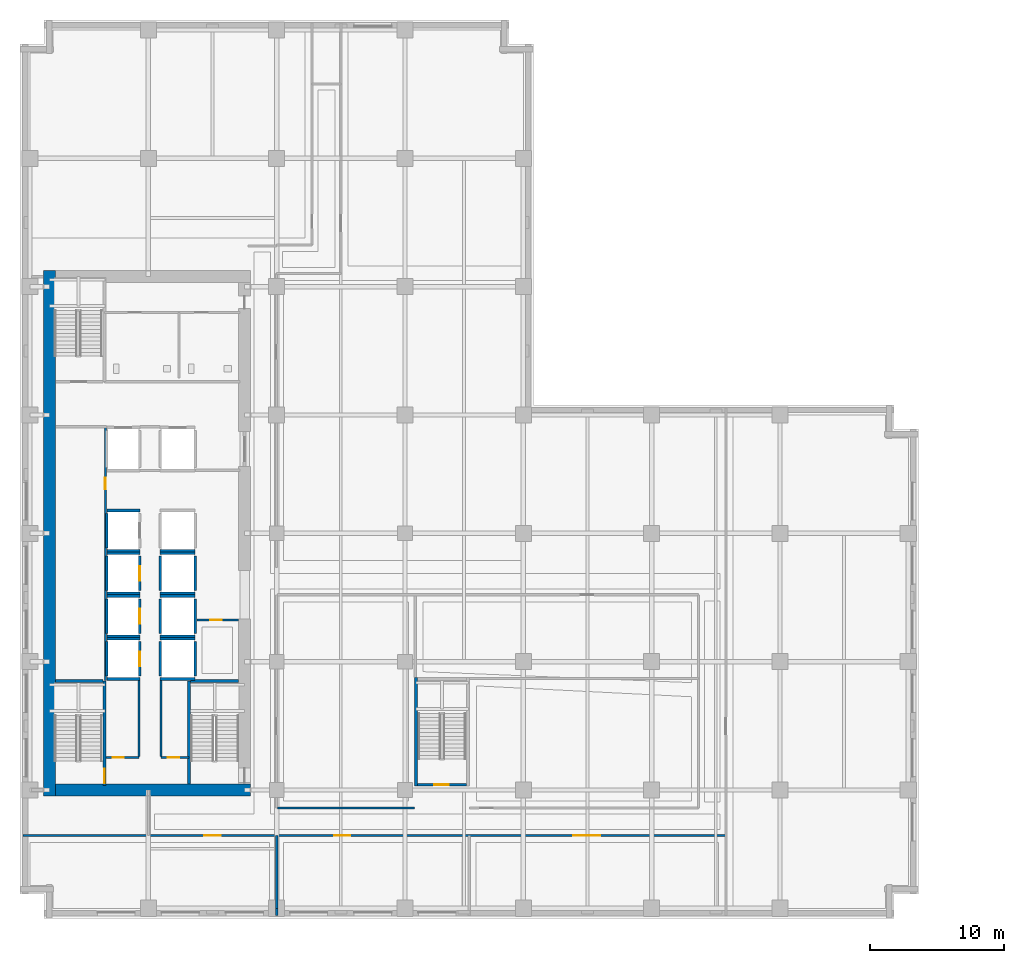
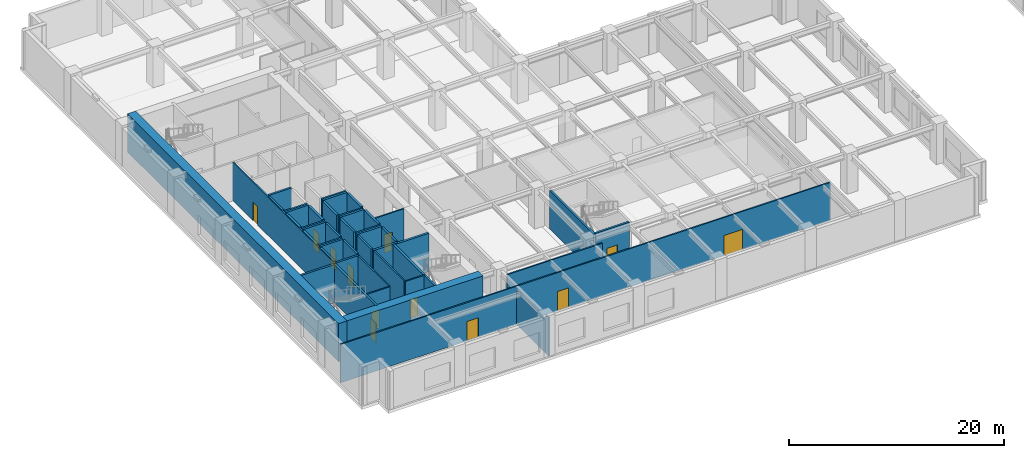
# One storey, part 5 of 21: 46 walls, 12 doors, 12 openings.
"""IFC4 building model written with IfcOpenShell, lengths in metres."""

from ifc_helpers import new_model, si_unit, direction, frame, frame_2d, origin, place, context, subcontext, project, spatial, rectangle, extrude, material, layer, layer_set, type_object, element, fill, save


model = new_model("IFC4")

# Units and contexts
model_context = context("Model", 3, precision=1e-05, world=origin(), true_north=direction((0.0, 1.0)))
body_context = subcontext(model_context, "Body", "Model", "MODEL_VIEW")
ifc_project = project(units=[si_unit("LENGTHUNIT", "METRE"), si_unit("AREAUNIT", "SQUARE_METRE"), si_unit("VOLUMEUNIT", "CUBIC_METRE"), si_unit("PLANEANGLEUNIT", "RADIAN"), si_unit("MASSUNIT", "GRAM", prefix="KILO")], contexts=[model_context])

# Site, building, storey
site_placement = place(None, origin())
site = spatial("IfcSite", under=ifc_project, at=site_placement, CompositionType="ELEMENT")
building_placement = place(site_placement, origin())
building = spatial("IfcBuilding", under=site, at=building_placement, Name="Norrvale University Quadrangle", CompositionType="ELEMENT")
storey_placement = place(building_placement, frame((0.0, 0.0, 19.60009765625)))
storey = spatial("IfcBuildingStorey", under=building, at=storey_placement, Name="L04", CompositionType="ELEMENT", Elevation=19.60009765625)

# Walls
ifc_material_1 = material(Name="Concrete C80/95", Category="concrete")
ifc_layer_1 = layer(ifc_material_1, 0.89990234375, Name="Concrete C80/95")
ifc_layer_set_1 = layer_set([ifc_layer_1], Name="Concrete C80/95")
wall_type_1 = type_object("IfcWallType", Name="Wall Core 900", PredefinedType="SHEAR", material=ifc_layer_set_1)
wall_1_placement = place(storey_placement, frame((2.64990234375, 9.60009765625, 0.0), z_axis=(0.0, 0.0, 1.0), x_axis=(1.0, 0.0, 0.0)))
element("IfcWall", 1, at=wall_1_placement, inside=storey, type_object=wall_type_1, Name="Tower Core Shear Wall L04-S", PredefinedType="SHEAR", context=body_context, shape_type="SweptSolid", body=[
    extrude(rectangle(XDim=14.60009765625, YDim=0.89990234375, at=frame_2d((7.300048828125, 0.0))), origin(), (0.0, 0.0, 1.0), 4.33984375),
])
wall_2_placement = place(storey_placement, frame((2.199951171875, 9.14990234375, 0.0), z_axis=(0.0, 0.0, 1.0), x_axis=(0.0, 1.0, 0.0)))
element("IfcWall", 2, at=wall_2_placement, inside=storey, type_object=wall_type_1, Name="Tower Core Shear Wall L04-W", PredefinedType="SHEAR", context=body_context, shape_type="SweptSolid", body=[
    extrude(rectangle(XDim=39.300048828125, YDim=0.89990234375, at=frame_2d((19.64990234375, 0.0))), origin(), (0.0, 0.0, 1.0), 4.33984375),
])

# Wall, opening, door
ifc_material_2 = material(Name="Fire-Rated Gypsum Stud Partition")
ifc_layer_2 = layer(ifc_material_2, 0.14990234375, Name="Fire-Rated Gypsum Stud Partition")
ifc_layer_set_2 = layer_set([ifc_layer_2], Name="Fire-Rated Gypsum Stud Partition")
wall_type_2 = type_object("IfcWallType", Name="Wall Gypsum Corridor 150", PredefinedType="PARTITIONING", material=ifc_layer_set_2)
wall_3_placement = place(storey_placement, frame((6.419921875, 12.02001953125, 0.0), z_axis=(0.0, 0.0, 1.0), x_axis=(1.0, 0.0, 0.0)))
wall_3 = element("IfcWall", 3, at=wall_3_placement, inside=storey, type_object=wall_type_2, Name="Interior Partition WL-L04-SC-NL", PredefinedType="PARTITIONING", context=body_context, shape_type="SweptSolid", body=[
    extrude(rectangle(XDim=2.47998046875, YDim=0.14990234375, at=frame_2d((1.239990234375, 0.0))), origin(), (0.0, 0.0, 1.0), 4.33984375),
])
opening_1_placement = place(wall_3_placement, frame((0.5, 0.0, 0.0)))
opening_1 = element("IfcOpeningElement", 4, at=opening_1_placement, cuts=wall_3, Name="Opening D10", PredefinedType="OPENING", context=body_context, shape_type="SweptSolid", body=[
    extrude(rectangle(XDim=0.85009765625, YDim=2.10009765625, at=frame_2d((0.425048828125, 1.050048828125))), frame((0.0, 0.0869140625, 0.0), z_axis=(0.0, -1.0, 0.0), x_axis=(1.0, 0.0, 0.0)), (0.0, 0.0, 1.0), 0.173828125),
])
ifc_material_3 = material(Name="Hollow Steel 350W Riser Fire Door", Category="steel")
door_type_1 = type_object("IfcDoorType", Name="Door Riser 850x2100", OperationType="NOTDEFINED", PredefinedType="DOOR", material=ifc_material_3)
door_1_placement = place(opening_1_placement, origin())
door_1 = element("IfcDoor", 5, at=door_1_placement, inside=storey, type_object=door_type_1, Name="Door Riser 850x2100 DR-L04-ELEC", OperationType="SINGLE_SWING_LEFT", OverallHeight=2.10009765625, OverallWidth=0.85009765625, PredefinedType="DOOR", context=body_context, shape_type="SweptSolid", body=[
    extrude(rectangle(XDim=0.85009765625, YDim=2.10009765625, at=frame_2d((0.425048828125, 1.050048828125))), frame((0.0, 0.02490234375, 0.0), z_axis=(0.0, -1.0, 0.0), x_axis=(1.0, 0.0, 0.0)), (0.0, 0.0, 1.0), 0.050048828125),
])
fill(opening_1, door_1)

wall_4_placement = place(storey_placement, frame((10.550048828125, 12.02001953125, 0.0), z_axis=(0.0, 0.0, 1.0), x_axis=(1.0, 0.0, 0.0)))
wall_4 = element("IfcWall", 6, at=wall_4_placement, inside=storey, type_object=wall_type_2, Name="Interior Partition WL-L04-SC-NR", PredefinedType="PARTITIONING", context=body_context, shape_type="SweptSolid", body=[
    extrude(rectangle(XDim=2.079833984375, YDim=0.14990234375, at=frame_2d((1.0400390625, 0.0))), origin(), (0.0, 0.0, 1.0), 4.33984375),
])
opening_2_placement = place(wall_4_placement, frame((0.5, 0.0, 0.0)))
opening_2 = element("IfcOpeningElement", 7, at=opening_2_placement, cuts=wall_4, Name="Opening D10", PredefinedType="OPENING", context=body_context, shape_type="SweptSolid", body=[
    extrude(rectangle(XDim=0.85009765625, YDim=2.10009765625, at=frame_2d((0.425048828125, 1.050048828125))), frame((0.0, 0.0869140625, 0.0), z_axis=(0.0, -1.0, 0.0), x_axis=(1.0, 0.0, 0.0)), (0.0, 0.0, 1.0), 0.173828125),
])
door_2_placement = place(opening_2_placement, origin())
door_2 = element("IfcDoor", 8, at=door_2_placement, inside=storey, type_object=door_type_1, Name="Door Riser 850x2100 DR-L04-IDF", OperationType="SINGLE_SWING_RIGHT", OverallHeight=2.10009765625, OverallWidth=0.85009765625, PredefinedType="DOOR", context=body_context, shape_type="SweptSolid", body=[
    extrude(rectangle(XDim=0.85009765625, YDim=2.10009765625, at=frame_2d((0.425048828125, 1.050048828125))), frame((0.0, 0.02490234375, 0.0), z_axis=(0.0, -1.0, 0.0), x_axis=(1.0, 0.0, 0.0)), (0.0, 0.0, 1.0), 0.050048828125),
])
fill(opening_2, door_2)

# Walls
for number, where, z_axis, x_axis, name in (
    (9, (8.89990234375, 12.094970703125, 0.0), (0.0, 0.0, 1.0), (0.0, 1.0, 0.0), "Interior Partition WL-L04-SC-WL"),
    (10, (10.550048828125, 12.094970703125, 0.0), (0.0, 0.0, 1.0), (0.0, 1.0, 0.0), "Interior Partition WL-L04-SC-WR"),
):
    element("IfcWall", number, at=place(storey_placement, frame(where, z_axis=z_axis, x_axis=x_axis)), inside=storey, type_object=wall_type_2, Name=name, PredefinedType="PARTITIONING", context=body_context, shape_type="SweptSolid", body=[
        extrude(rectangle(XDim=5.679931640625, YDim=0.14990234375, at=frame_2d((2.83984375, 0.0))), origin(), (0.0, 0.0, 1.0), 4.33984375),
    ])

# Wall, opening, door
wall_5_placement = place(storey_placement, frame((13.22509765625, 22.320068359375, 0.0), z_axis=(0.0, 0.0, 1.0), x_axis=(1.0, 0.0, 0.0)))
wall_5 = element("IfcWall", 11, at=wall_5_placement, inside=storey, type_object=wall_type_2, Name="Interior Partition WL-L04-JAN-N", PredefinedType="PARTITIONING", context=body_context, shape_type="SweptSolid", body=[
    extrude(rectangle(XDim=3.119873046875, YDim=0.14990234375, at=frame_2d((1.56005859375, 0.0))), origin(), (0.0, 0.0, 1.0), 4.33984375),
])
opening_3_placement = place(wall_5_placement, frame((1.0, 0.0, 0.0)))
opening_3 = element("IfcOpeningElement", 12, at=opening_3_placement, cuts=wall_5, Name="Opening D10", PredefinedType="OPENING", context=body_context, shape_type="SweptSolid", body=[
    extrude(rectangle(XDim=0.85009765625, YDim=2.10009765625, at=frame_2d((0.425048828125, 1.050048828125))), frame((0.0, 0.0869140625, 0.0), z_axis=(0.0, -1.0, 0.0), x_axis=(1.0, 0.0, 0.0)), (0.0, 0.0, 1.0), 0.173828125),
])
door_3_placement = place(opening_3_placement, origin())
door_3 = element("IfcDoor", 13, at=door_3_placement, inside=storey, type_object=door_type_1, Name="Door Riser 850x2100 DR-L04-JAN", OperationType="SINGLE_SWING_LEFT", OverallHeight=2.10009765625, OverallWidth=0.85009765625, PredefinedType="DOOR", context=body_context, shape_type="SweptSolid", body=[
    extrude(rectangle(XDim=0.85009765625, YDim=2.10009765625, at=frame_2d((0.425048828125, 1.050048828125))), frame((0.0, 0.02490234375, 0.0), z_axis=(0.0, -1.0, 0.0), x_axis=(1.0, 0.0, 0.0)), (0.0, 0.0, 1.0), 0.050048828125),
])
fill(opening_3, door_3)

wall_6_placement = place(storey_placement, frame((6.3798828125, 17.800048828125, 0.0), z_axis=(0.0, 0.0, 1.0), x_axis=(0.0, 1.0, 0.0)))
wall_6 = element("IfcWall", 14, at=wall_6_placement, inside=storey, type_object=wall_type_2, Name="Interior Partition WL-L04-WME-E", PredefinedType="PARTITIONING", context=body_context, shape_type="SweptSolid", body=[
    extrude(rectangle(XDim=18.97998046875, YDim=0.14990234375, at=frame_2d((9.489990234375, 0.0))), origin(), (0.0, 0.0, 1.0), 4.33984375),
])
opening_4_placement = place(wall_6_placement, frame((14.300048828125, 0.0, 0.0)))
opening_4 = element("IfcOpeningElement", 15, at=opening_4_placement, cuts=wall_6, Name="Opening D10", PredefinedType="OPENING", context=body_context, shape_type="SweptSolid", body=[
    extrude(rectangle(XDim=0.85009765625, YDim=2.10009765625, at=frame_2d((0.425048828125, 1.050048828125))), frame((0.0, 0.0869140625, 0.0), z_axis=(0.0, -1.0, 0.0), x_axis=(1.0, 0.0, 0.0)), (0.0, 0.0, 1.0), 0.173828125),
])
door_4_placement = place(opening_4_placement, origin())
door_4 = element("IfcDoor", 16, at=door_4_placement, inside=storey, type_object=door_type_1, Name="Door Riser 850x2100 DR-L04-WME", OperationType="SINGLE_SWING_LEFT", OverallHeight=2.10009765625, OverallWidth=0.85009765625, PredefinedType="DOOR", context=body_context, shape_type="SweptSolid", body=[
    extrude(rectangle(XDim=0.85009765625, YDim=2.10009765625, at=frame_2d((0.425048828125, 1.050048828125))), frame((0.0, 0.02490234375, 0.0), z_axis=(0.0, -1.0, 0.0), x_axis=(1.0, 0.0, 0.0)), (0.0, 0.0, 1.0), 0.050048828125),
])
fill(opening_4, door_4)

# Wall, openings, doors
wall_7_placement = place(storey_placement, frame((0.219970703125, 6.199951171875, 0.0), z_axis=(0.0, 0.0, 1.0), x_axis=(1.0, 0.0, 0.0)))
wall_7 = element("IfcWall", 17, at=wall_7_placement, inside=storey, type_object=wall_type_2, Name="Interior Partition WL-L04-SCW", PredefinedType="PARTITIONING", context=body_context, shape_type="SweptSolid", body=[
    extrude(rectangle(XDim=52.580078125, YDim=0.14990234375, at=frame_2d((26.2900390625, 0.0))), origin(), (0.0, 0.0, 1.0), 4.33984375),
])
opening_5_placement = place(wall_7_placement, frame((13.580078125, 0.0, 0.0)))
opening_5 = element("IfcOpeningElement", 18, at=opening_5_placement, cuts=wall_7, Name="Opening D05", PredefinedType="OPENING", context=body_context, shape_type="SweptSolid", body=[
    extrude(rectangle(XDim=1.199951171875, YDim=2.199951171875, at=frame_2d((0.60009765625, 1.10009765625))), frame((0.0, 0.0869140625, 0.0), z_axis=(0.0, -1.0, 0.0), x_axis=(1.0, 0.0, 0.0)), (0.0, 0.0, 1.0), 0.173828125),
])
opening_6_placement = place(wall_7_placement, frame((23.280029296875, 0.0, 0.0)))
opening_6 = element("IfcOpeningElement", 19, at=opening_6_placement, cuts=wall_7, Name="Opening D05", PredefinedType="OPENING", context=body_context, shape_type="SweptSolid", body=[
    extrude(rectangle(XDim=1.199951171875, YDim=2.199951171875, at=frame_2d((0.60009765625, 1.10009765625))), frame((0.0, 0.0869140625, 0.0), z_axis=(0.0, -1.0, 0.0), x_axis=(1.0, 0.0, 0.0)), (0.0, 0.0, 1.0), 0.173828125),
])
opening_7_placement = place(wall_7_placement, frame((41.179931640625, 0.0, 0.0)))
opening_7 = element("IfcOpeningElement", 20, at=opening_7_placement, cuts=wall_7, Name="Opening D06", PredefinedType="OPENING", context=body_context, shape_type="SweptSolid", body=[
    extrude(rectangle(XDim=2.0, YDim=2.300048828125, at=frame_2d((1.0, 1.14990234375))), frame((0.0, 0.0869140625, 0.0), z_axis=(0.0, -1.0, 0.0), x_axis=(1.0, 0.0, 0.0)), (0.0, 0.0, 1.0), 0.173828125),
])
ifc_material_4 = material(Name="Acoustic Oak Classroom Door", Category="wood")
door_type_2 = type_object("IfcDoorType", Name="Door Classroom 1200x2200", OperationType="NOTDEFINED", PredefinedType="DOOR", material=ifc_material_4)
door_5_placement = place(opening_5_placement, origin())
door_5 = element("IfcDoor", 21, at=door_5_placement, inside=storey, type_object=door_type_2, Name="Door Classroom 1200x2200 DR-L04-S01", OperationType="SINGLE_SWING_LEFT", OverallHeight=2.199951171875, OverallWidth=1.199951171875, PredefinedType="DOOR", context=body_context, shape_type="SweptSolid", body=[
    extrude(rectangle(XDim=1.199951171875, YDim=2.199951171875, at=frame_2d((0.60009765625, 1.10009765625))), frame((0.0, 0.02490234375, 0.0), z_axis=(0.0, -1.0, 0.0), x_axis=(1.0, 0.0, 0.0)), (0.0, 0.0, 1.0), 0.050048828125),
])
fill(opening_5, door_5)
door_6_placement = place(opening_6_placement, origin())
door_6 = element("IfcDoor", 22, at=door_6_placement, inside=storey, type_object=door_type_2, Name="Door Classroom 1200x2200 DR-L04-S02", OperationType="SINGLE_SWING_RIGHT", OverallHeight=2.199951171875, OverallWidth=1.199951171875, PredefinedType="DOOR", context=body_context, shape_type="SweptSolid", body=[
    extrude(rectangle(XDim=1.199951171875, YDim=2.199951171875, at=frame_2d((0.60009765625, 1.10009765625))), frame((0.0, 0.02490234375, 0.0), z_axis=(0.0, -1.0, 0.0), x_axis=(1.0, 0.0, 0.0)), (0.0, 0.0, 1.0), 0.050048828125),
])
fill(opening_6, door_6)
ifc_material_5 = material(Name="Acoustic Oak Double Door", Category="wood")
door_type_3 = type_object("IfcDoorType", Name="Door Lecture Dbl 2000x2300", OperationType="DOUBLE_SWING_LEFT", PredefinedType="DOOR", material=ifc_material_5)
door_7_placement = place(opening_7_placement, origin())
door_7 = element("IfcDoor", 23, at=door_7_placement, inside=storey, type_object=door_type_3, Name="Door Lecture Dbl 2000x2300 DR-L04-S03", OperationType="DOUBLE_SWING_LEFT", OverallHeight=2.300048828125, OverallWidth=2.0, PredefinedType="DOOR", context=body_context, shape_type="SweptSolid", body=[
    extrude(rectangle(XDim=2.0, YDim=2.300048828125, at=frame_2d((1.0, 1.14990234375))), frame((0.0, 0.02490234375, 0.0), z_axis=(0.0, -1.0, 0.0), x_axis=(1.0, 0.0, 0.0)), (0.0, 0.0, 1.0), 0.050048828125),
])
fill(opening_7, door_7)

# Walls
wall_8_placement = place(storey_placement, frame((19.280029296875, 8.25, 0.0), z_axis=(0.0, 0.0, 1.0), x_axis=(1.0, 0.0, 0.0)))
element("IfcWall", 24, at=wall_8_placement, inside=storey, type_object=wall_type_2, Name="Interior Partition WL-L04-ISLS1", PredefinedType="PARTITIONING", context=body_context, shape_type="SweptSolid", body=[
    extrude(rectangle(XDim=10.244873046875, YDim=0.14990234375, at=frame_2d((5.12255859375, 0.0))), origin(), (0.0, 0.0, 1.0), 4.33984375),
])
ifc_material_6 = material(Name="Acoustic Double-Stud Gypsum Partition")
ifc_layer_3 = layer(ifc_material_6, 0.179931640625, Name="Acoustic Double-Stud Gypsum Partition")
ifc_layer_set_3 = layer_set([ifc_layer_3], Name="Acoustic Double-Stud Gypsum Partition")
wall_type_3 = type_object("IfcWallType", Name="Wall Gypsum Lecture 180", PredefinedType="PARTITIONING", material=ifc_layer_set_3)
wall_9_placement = place(storey_placement, frame((19.199951171875, 0.219970703125, 0.0), z_axis=(0.0, 0.0, 1.0), x_axis=(0.0, 1.0, 0.0)))
element("IfcWall", 25, at=wall_9_placement, inside=storey, type_object=wall_type_3, Name="Interior Partition WL-L04-SP01", PredefinedType="PARTITIONING", context=body_context, shape_type="SweptSolid", body=[
    extrude(rectangle(XDim=0.530029296875, YDim=0.179931640625, at=frame_2d((0.26513671875, 0.0))), origin(), (0.0, 0.0, 1.0), 4.33984375),
])
wall_10_placement = place(storey_placement, frame((19.199951171875, 0.75, 0.0), z_axis=(0.0, 0.0, 1.0), x_axis=(0.0, 1.0, 0.0)))
element("IfcWall", 26, at=wall_10_placement, inside=storey, type_object=wall_type_3, Name="Interior Partition WL-L04-SP01-B2", PredefinedType="PARTITIONING", context=body_context, shape_type="SweptSolid", body=[
    extrude(rectangle(XDim=5.449951171875, YDim=0.179931640625, at=frame_2d((2.72509765625, 0.0))), origin(), (0.0, 0.0, 1.0), 3.723876953125),
])

# Wall, opening, door
ifc_material_7 = material(Name="Concrete Blockwork 20 MPa Fire Shaft", Category="masonry")
ifc_layer_4 = layer(ifc_material_7, 0.219970703125, Name="Concrete Blockwork 20 MPa Fire Shaft")
ifc_layer_set_4 = layer_set([ifc_layer_4], Name="Concrete Blockwork 20 MPa Fire Shaft")
wall_type_4 = type_object("IfcWallType", Name="Wall Shaft 220", PredefinedType="SOLIDWALL", material=ifc_layer_set_4)
wall_11_placement = place(storey_placement, frame((6.31005859375, 9.949951171875, 0.0), z_axis=(0.0, 0.0, 1.0), x_axis=(0.0, 1.0, 0.0)))
wall_11 = element("IfcWall", 27, at=wall_11_placement, inside=storey, type_object=wall_type_4, Name="Stair ST-01 East Shaft Wall L04", PredefinedType="SOLIDWALL", context=body_context, shape_type="SweptSolid", body=[
    extrude(rectangle(XDim=7.81005859375, YDim=0.219970703125, at=frame_2d((3.905029296875, 0.0))), origin(), (0.0, 0.0, 1.0), 4.33984375),
])
opening_8_placement = place(wall_11_placement, frame((0.139892578125, 0.0, 0.0)))
opening_8 = element("IfcOpeningElement", 28, at=opening_8_placement, cuts=wall_11, Name="Opening D02", PredefinedType="OPENING", context=body_context, shape_type="SweptSolid", body=[
    extrude(rectangle(XDim=1.10009765625, YDim=2.199951171875, at=frame_2d((0.550048828125, 1.10009765625))), frame((0.0, 0.1220703125, 0.0), z_axis=(0.0, -1.0, 0.0), x_axis=(1.0, 0.0, 0.0)), (0.0, 0.0, 1.0), 0.243896484375),
])
ifc_material_8 = material(Name="Hollow Steel 350W Fire Door", Category="steel")
door_type_4 = type_object("IfcDoorType", Name="Door Stair Exit 1100x2200", OperationType="NOTDEFINED", PredefinedType="DOOR", material=ifc_material_8)
door_8_placement = place(opening_8_placement, origin())
door_8 = element("IfcDoor", 29, at=door_8_placement, inside=storey, type_object=door_type_4, Name="Door Stair Exit 1100x2200 DR-L04-ST01", OperationType="SINGLE_SWING_LEFT", OverallHeight=2.199951171875, OverallWidth=1.10009765625, PredefinedType="DOOR", context=body_context, shape_type="SweptSolid", body=[
    extrude(rectangle(XDim=1.10009765625, YDim=2.199951171875, at=frame_2d((0.550048828125, 1.10009765625))), frame((0.0, 0.02490234375, 0.0), z_axis=(0.0, -1.0, 0.0), x_axis=(1.0, 0.0, 0.0)), (0.0, 0.0, 1.0), 0.050048828125),
])
fill(opening_8, door_8)

# Walls
wall_12_placement = place(storey_placement, frame((2.64990234375, 17.760009765625, 0.0), z_axis=(0.0, 0.0, 1.0), x_axis=(1.0, 0.0, 0.0)))
element("IfcWall", 30, at=wall_12_placement, inside=storey, type_object=wall_type_4, Name="Stair ST-01 North Shaft Wall L04", PredefinedType="SOLIDWALL", context=body_context, shape_type="SweptSolid", body=[
    extrude(rectangle(XDim=3.550048828125, YDim=0.219970703125, at=frame_2d((1.77490234375, 0.0))), origin(), (0.0, 0.0, 1.0), 4.33984375),
])
wall_13_placement = place(storey_placement, frame((12.639892578125, 10.050048828125, 0.0), z_axis=(0.0, 0.0, 1.0), x_axis=(0.0, 1.0, 0.0)))
element("IfcWall", 31, at=wall_13_placement, inside=storey, type_object=wall_type_4, Name="Stair ST-03 West Shaft Wall L04", PredefinedType="SOLIDWALL", context=body_context, shape_type="SweptSolid", body=[
    extrude(rectangle(XDim=7.7099609375, YDim=0.219970703125, at=frame_2d((3.85498046875, 0.0))), origin(), (0.0, 0.0, 1.0), 4.33984375),
])
wall_14_placement = place(storey_placement, frame((12.75, 17.760009765625, 0.0), z_axis=(0.0, 0.0, 1.0), x_axis=(1.0, 0.0, 0.0)))
element("IfcWall", 32, at=wall_14_placement, inside=storey, type_object=wall_type_4, Name="Stair ST-03 North Shaft Wall L04", PredefinedType="SOLIDWALL", context=body_context, shape_type="SweptSolid", body=[
    extrude(rectangle(XDim=3.60009765625, YDim=0.219970703125, at=frame_2d((1.800048828125, 0.0))), origin(), (0.0, 0.0, 1.0), 4.33984375),
])

# Wall, opening, door
wall_15_placement = place(storey_placement, frame((29.75, 9.989990234375, 0.0), z_axis=(0.0, 0.0, 1.0), x_axis=(1.0, 0.0, 0.0)))
wall_15 = element("IfcWall", 33, at=wall_15_placement, inside=storey, type_object=wall_type_4, Name="Stair ST-04 South Shaft Wall L04", PredefinedType="SOLIDWALL", context=body_context, shape_type="SweptSolid", body=[
    extrude(rectangle(XDim=3.64990234375, YDim=0.219970703125, at=frame_2d((1.824951171875, 0.0))), origin(), (0.0, 0.0, 1.0), 4.33984375),
])
opening_9_placement = place(wall_15_placement, frame((1.239990234375, 0.0, 0.0)))
opening_9 = element("IfcOpeningElement", 34, at=opening_9_placement, cuts=wall_15, Name="Opening D02", PredefinedType="OPENING", context=body_context, shape_type="SweptSolid", body=[
    extrude(rectangle(XDim=1.10009765625, YDim=2.199951171875, at=frame_2d((0.550048828125, 1.10009765625))), frame((0.0, 0.1220703125, 0.0), z_axis=(0.0, -1.0, 0.0), x_axis=(1.0, 0.0, 0.0)), (0.0, 0.0, 1.0), 0.243896484375),
])
door_9_placement = place(opening_9_placement, origin())
door_9 = element("IfcDoor", 35, at=door_9_placement, inside=storey, type_object=door_type_4, Name="Door Stair Exit 1100x2200 DR-L04-ST04", OperationType="SINGLE_SWING_LEFT", OverallHeight=2.199951171875, OverallWidth=1.10009765625, PredefinedType="DOOR", context=body_context, shape_type="SweptSolid", body=[
    extrude(rectangle(XDim=1.10009765625, YDim=2.199951171875, at=frame_2d((0.550048828125, 1.10009765625))), frame((0.0, 0.02490234375, 0.0), z_axis=(0.0, -1.0, 0.0), x_axis=(1.0, 0.0, 0.0)), (0.0, 0.0, 1.0), 0.050048828125),
])
fill(opening_9, door_9)

# Walls
wall_16_placement = place(storey_placement, frame((29.639892578125, 9.8798828125, 0.0), z_axis=(0.0, 0.0, 1.0), x_axis=(0.0, 1.0, 0.0)))
element("IfcWall", 36, at=wall_16_placement, inside=storey, type_object=wall_type_4, Name="Stair ST-04 West Shaft Wall L04", PredefinedType="SOLIDWALL", context=body_context, shape_type="SweptSolid", body=[
    extrude(rectangle(XDim=8.14013671875, YDim=0.219970703125, at=frame_2d((4.070068359375, 0.0))), origin(), (0.0, 0.0, 1.0), 4.33984375),
])
wall_17_placement = place(storey_placement, frame((6.489990234375, 18.110107421875, 0.0), z_axis=(0.0, 0.0, 1.0), x_axis=(0.0, 1.0, 0.0)))
element("IfcWall", 37, at=wall_17_placement, inside=storey, type_object=wall_type_4, Name="Hoistway PL-01 West Wall L04", PredefinedType="SOLIDWALL", context=body_context, shape_type="SweptSolid", body=[
    extrude(rectangle(XDim=2.579833984375, YDim=0.219970703125, at=frame_2d((1.2900390625, 0.0))), origin(), (0.0, 0.0, 1.0), 4.33984375),
])

# Wall, opening, door
wall_18_placement = place(storey_placement, frame((8.9599609375, 18.110107421875, 0.0), z_axis=(0.0, 0.0, 1.0), x_axis=(0.0, 1.0, 0.0)))
wall_18 = element("IfcWall", 38, at=wall_18_placement, inside=storey, type_object=wall_type_4, Name="Hoistway PL-01 East Wall L04", PredefinedType="SOLIDWALL", context=body_context, shape_type="SweptSolid", body=[
    extrude(rectangle(XDim=2.579833984375, YDim=0.219970703125, at=frame_2d((1.2900390625, 0.0))), origin(), (0.0, 0.0, 1.0), 4.33984375),
])
opening_10_placement = place(wall_18_placement, frame((0.739990234375, 0.0, 0.0)))
opening_10 = element("IfcOpeningElement", 39, at=opening_10_placement, cuts=wall_18, Name="Opening LD1", PredefinedType="OPENING", context=body_context, shape_type="SweptSolid", body=[
    extrude(rectangle(XDim=1.10009765625, YDim=2.199951171875, at=frame_2d((0.550048828125, 1.10009765625))), frame((0.0, 0.1220703125, 0.0), z_axis=(0.0, -1.0, 0.0), x_axis=(1.0, 0.0, 0.0)), (0.0, 0.0, 1.0), 0.243896484375),
])
ifc_material_9 = material(Name="Stainless Steel 316L Lift Landing Door", Category="steel")
door_type_5 = type_object("IfcDoorType", Name="Door Lift Landing 1100x2200", OperationType="DOUBLE_DOOR_SLIDING", PredefinedType="DOOR", material=ifc_material_9)
door_10_placement = place(opening_10_placement, origin())
door_10 = element("IfcDoor", 40, at=door_10_placement, inside=storey, type_object=door_type_5, Name="Elevator Landing Door DR-L04-PL-01", OperationType="DOUBLE_DOOR_SLIDING", OverallHeight=2.199951171875, OverallWidth=1.10009765625, PredefinedType="DOOR", context=body_context, shape_type="SweptSolid", body=[
    extrude(rectangle(XDim=1.10009765625, YDim=2.199951171875, at=frame_2d((0.550048828125, 1.10009765625))), frame((0.0, 0.02490234375, 0.0), z_axis=(0.0, -1.0, 0.0), x_axis=(1.0, 0.0, 0.0)), (0.0, 0.0, 1.0), 0.050048828125),
])
fill(opening_10, door_10)

# Walls
for number, where, z_axis, x_axis, name in (
    (41, (6.489990234375, 17.889892578125, 0.0), (0.0, 0.0, 1.0), (1.0, 0.0, 0.0), "Hoistway PL-01 South Wall L04"),
    (42, (6.489990234375, 20.909912109375, 0.0), (0.0, 0.0, 1.0), (1.0, 0.0, 0.0), "Hoistway PL-01 North Wall L04"),
):
    element("IfcWall", number, at=place(storey_placement, frame(where, z_axis=z_axis, x_axis=x_axis)), inside=storey, type_object=wall_type_4, Name=name, PredefinedType="SOLIDWALL", context=body_context, shape_type="SweptSolid", body=[
        extrude(rectangle(XDim=2.469970703125, YDim=0.219970703125, at=frame_2d((1.23486328125, 0.0))), origin(), (0.0, 0.0, 1.0), 4.33984375),
    ])
wall_19_placement = place(storey_placement, frame((6.489990234375, 21.31005859375, 0.0), z_axis=(0.0, 0.0, 1.0), x_axis=(0.0, 1.0, 0.0)))
element("IfcWall", 43, at=wall_19_placement, inside=storey, type_object=wall_type_4, Name="Hoistway PL-02 West Wall L04", PredefinedType="SOLIDWALL", context=body_context, shape_type="SweptSolid", body=[
    extrude(rectangle(XDim=2.579833984375, YDim=0.219970703125, at=frame_2d((1.2900390625, 0.0))), origin(), (0.0, 0.0, 1.0), 4.33984375),
])

# Wall, opening, door
wall_20_placement = place(storey_placement, frame((8.9599609375, 21.31005859375, 0.0), z_axis=(0.0, 0.0, 1.0), x_axis=(0.0, 1.0, 0.0)))
wall_20 = element("IfcWall", 44, at=wall_20_placement, inside=storey, type_object=wall_type_4, Name="Hoistway PL-02 East Wall L04", PredefinedType="SOLIDWALL", context=body_context, shape_type="SweptSolid", body=[
    extrude(rectangle(XDim=2.579833984375, YDim=0.219970703125, at=frame_2d((1.2900390625, 0.0))), origin(), (0.0, 0.0, 1.0), 4.33984375),
])
opening_11_placement = place(wall_20_placement, frame((0.739990234375, 0.0, 0.0)))
opening_11 = element("IfcOpeningElement", 45, at=opening_11_placement, cuts=wall_20, Name="Opening LD1", PredefinedType="OPENING", context=body_context, shape_type="SweptSolid", body=[
    extrude(rectangle(XDim=1.10009765625, YDim=2.199951171875, at=frame_2d((0.550048828125, 1.10009765625))), frame((0.0, 0.1220703125, 0.0), z_axis=(0.0, -1.0, 0.0), x_axis=(1.0, 0.0, 0.0)), (0.0, 0.0, 1.0), 0.243896484375),
])
door_11_placement = place(opening_11_placement, origin())
door_11 = element("IfcDoor", 46, at=door_11_placement, inside=storey, type_object=door_type_5, Name="Elevator Landing Door DR-L04-PL-02", OperationType="DOUBLE_DOOR_SLIDING", OverallHeight=2.199951171875, OverallWidth=1.10009765625, PredefinedType="DOOR", context=body_context, shape_type="SweptSolid", body=[
    extrude(rectangle(XDim=1.10009765625, YDim=2.199951171875, at=frame_2d((0.550048828125, 1.10009765625))), frame((0.0, 0.02490234375, 0.0), z_axis=(0.0, -1.0, 0.0), x_axis=(1.0, 0.0, 0.0)), (0.0, 0.0, 1.0), 0.050048828125),
])
fill(opening_11, door_11)

# Walls
for number, where, z_axis, x_axis, name in (
    (47, (6.489990234375, 21.090087890625, 0.0), (0.0, 0.0, 1.0), (1.0, 0.0, 0.0), "Hoistway PL-02 South Wall L04"),
    (48, (6.489990234375, 24.110107421875, 0.0), (0.0, 0.0, 1.0), (1.0, 0.0, 0.0), "Hoistway PL-02 North Wall L04"),
):
    element("IfcWall", number, at=place(storey_placement, frame(where, z_axis=z_axis, x_axis=x_axis)), inside=storey, type_object=wall_type_4, Name=name, PredefinedType="SOLIDWALL", context=body_context, shape_type="SweptSolid", body=[
        extrude(rectangle(XDim=2.469970703125, YDim=0.219970703125, at=frame_2d((1.23486328125, 0.0))), origin(), (0.0, 0.0, 1.0), 4.33984375),
    ])
wall_21_placement = place(storey_placement, frame((6.489990234375, 24.510009765625, 0.0), z_axis=(0.0, 0.0, 1.0), x_axis=(0.0, 1.0, 0.0)))
element("IfcWall", 49, at=wall_21_placement, inside=storey, type_object=wall_type_4, Name="Hoistway PL-03 West Wall L04", PredefinedType="SOLIDWALL", context=body_context, shape_type="SweptSolid", body=[
    extrude(rectangle(XDim=2.580078125, YDim=0.219970703125, at=frame_2d((1.2900390625, 0.0))), origin(), (0.0, 0.0, 1.0), 4.33984375),
])

# Wall, opening, door
wall_22_placement = place(storey_placement, frame((8.9599609375, 24.510009765625, 0.0), z_axis=(0.0, 0.0, 1.0), x_axis=(0.0, 1.0, 0.0)))
wall_22 = element("IfcWall", 50, at=wall_22_placement, inside=storey, type_object=wall_type_4, Name="Hoistway PL-03 East Wall L04", PredefinedType="SOLIDWALL", context=body_context, shape_type="SweptSolid", body=[
    extrude(rectangle(XDim=2.580078125, YDim=0.219970703125, at=frame_2d((1.2900390625, 0.0))), origin(), (0.0, 0.0, 1.0), 4.33984375),
])
opening_12_placement = place(wall_22_placement, frame((0.739990234375, 0.0, 0.0)))
opening_12 = element("IfcOpeningElement", 51, at=opening_12_placement, cuts=wall_22, Name="Opening LD1", PredefinedType="OPENING", context=body_context, shape_type="SweptSolid", body=[
    extrude(rectangle(XDim=1.10009765625, YDim=2.199951171875, at=frame_2d((0.550048828125, 1.10009765625))), frame((0.0, 0.1220703125, 0.0), z_axis=(0.0, -1.0, 0.0), x_axis=(1.0, 0.0, 0.0)), (0.0, 0.0, 1.0), 0.243896484375),
])
door_12_placement = place(opening_12_placement, origin())
door_12 = element("IfcDoor", 52, at=door_12_placement, inside=storey, type_object=door_type_5, Name="Elevator Landing Door DR-L04-PL-03", OperationType="DOUBLE_DOOR_SLIDING", OverallHeight=2.199951171875, OverallWidth=1.10009765625, PredefinedType="DOOR", context=body_context, shape_type="SweptSolid", body=[
    extrude(rectangle(XDim=1.10009765625, YDim=2.199951171875, at=frame_2d((0.550048828125, 1.10009765625))), frame((0.0, 0.02490234375, 0.0), z_axis=(0.0, -1.0, 0.0), x_axis=(1.0, 0.0, 0.0)), (0.0, 0.0, 1.0), 0.050048828125),
])
fill(opening_12, door_12)

# Walls
for number, where, z_axis, x_axis, name in (
    (53, (6.489990234375, 24.2900390625, 0.0), (0.0, 0.0, 1.0), (1.0, 0.0, 0.0), "Hoistway PL-03 South Wall L04"),
    (54, (6.489990234375, 27.31005859375, 0.0), (0.0, 0.0, 1.0), (1.0, 0.0, 0.0), "Hoistway PL-03 North Wall L04"),
):
    element("IfcWall", number, at=place(storey_placement, frame(where, z_axis=z_axis, x_axis=x_axis)), inside=storey, type_object=wall_type_4, Name=name, PredefinedType="SOLIDWALL", context=body_context, shape_type="SweptSolid", body=[
        extrude(rectangle(XDim=2.469970703125, YDim=0.219970703125, at=frame_2d((1.23486328125, 0.0))), origin(), (0.0, 0.0, 1.0), 4.33984375),
    ])
wall_23_placement = place(storey_placement, frame((6.489990234375, 27.7099609375, 0.0), z_axis=(0.0, 0.0, 1.0), x_axis=(0.0, 1.0, 0.0)))
element("IfcWall", 55, at=wall_23_placement, inside=storey, type_object=wall_type_4, Name="Hoistway PL-04 West Wall L04", PredefinedType="SOLIDWALL", context=body_context, shape_type="SweptSolid", body=[
    extrude(rectangle(XDim=2.580078125, YDim=0.219970703125, at=frame_2d((1.2900390625, 0.0))), origin(), (0.0, 0.0, 1.0), 4.33984375),
])
for number, where, z_axis, x_axis, name in (
    (56, (6.489990234375, 27.489990234375, 0.0), (0.0, 0.0, 1.0), (1.0, 0.0, 0.0), "Hoistway PL-04 South Wall L04"),
    (57, (6.489990234375, 30.510009765625, 0.0), (0.0, 0.0, 1.0), (1.0, 0.0, 0.0), "Hoistway PL-04 North Wall L04"),
):
    element("IfcWall", number, at=place(storey_placement, frame(where, z_axis=z_axis, x_axis=x_axis)), inside=storey, type_object=wall_type_4, Name=name, PredefinedType="SOLIDWALL", context=body_context, shape_type="SweptSolid", body=[
        extrude(rectangle(XDim=2.469970703125, YDim=0.219970703125, at=frame_2d((1.23486328125, 0.0))), origin(), (0.0, 0.0, 1.0), 4.33984375),
    ])
for number, where, z_axis, x_axis, name in (
    (58, (10.489990234375, 18.110107421875, 0.0), (0.0, 0.0, 1.0), (0.0, 1.0, 0.0), "Hoistway PL-05 West Wall L04"),
    (59, (13.110107421875, 18.110107421875, 0.0), (0.0, 0.0, 1.0), (0.0, 1.0, 0.0), "Hoistway PL-05 East Wall L04"),
):
    element("IfcWall", number, at=place(storey_placement, frame(where, z_axis=z_axis, x_axis=x_axis)), inside=storey, type_object=wall_type_4, Name=name, PredefinedType="SOLIDWALL", context=body_context, shape_type="SweptSolid", body=[
        extrude(rectangle(XDim=2.579833984375, YDim=0.219970703125, at=frame_2d((1.2900390625, 0.0))), origin(), (0.0, 0.0, 1.0), 4.33984375),
    ])
for number, where, z_axis, x_axis, name in (
    (60, (10.489990234375, 17.889892578125, 0.0), (0.0, 0.0, 1.0), (1.0, 0.0, 0.0), "Hoistway PL-05 South Wall L04"),
    (61, (10.489990234375, 20.909912109375, 0.0), (0.0, 0.0, 1.0), (1.0, 0.0, 0.0), "Hoistway PL-05 North Wall L04"),
):
    element("IfcWall", number, at=place(storey_placement, frame(where, z_axis=z_axis, x_axis=x_axis)), inside=storey, type_object=wall_type_4, Name=name, PredefinedType="SOLIDWALL", context=body_context, shape_type="SweptSolid", body=[
        extrude(rectangle(XDim=2.6201171875, YDim=0.219970703125, at=frame_2d((1.31005859375, 0.0))), origin(), (0.0, 0.0, 1.0), 4.33984375),
    ])
for number, where, z_axis, x_axis, name in (
    (62, (10.489990234375, 21.31005859375, 0.0), (0.0, 0.0, 1.0), (0.0, 1.0, 0.0), "Hoistway PL-06 West Wall L04"),
    (63, (13.110107421875, 21.31005859375, 0.0), (0.0, 0.0, 1.0), (0.0, 1.0, 0.0), "Hoistway PL-06 East Wall L04"),
):
    element("IfcWall", number, at=place(storey_placement, frame(where, z_axis=z_axis, x_axis=x_axis)), inside=storey, type_object=wall_type_4, Name=name, PredefinedType="SOLIDWALL", context=body_context, shape_type="SweptSolid", body=[
        extrude(rectangle(XDim=2.579833984375, YDim=0.219970703125, at=frame_2d((1.2900390625, 0.0))), origin(), (0.0, 0.0, 1.0), 4.33984375),
    ])
for number, where, z_axis, x_axis, name in (
    (64, (10.489990234375, 21.090087890625, 0.0), (0.0, 0.0, 1.0), (1.0, 0.0, 0.0), "Hoistway PL-06 South Wall L04"),
    (65, (10.489990234375, 24.110107421875, 0.0), (0.0, 0.0, 1.0), (1.0, 0.0, 0.0), "Hoistway PL-06 North Wall L04"),
):
    element("IfcWall", number, at=place(storey_placement, frame(where, z_axis=z_axis, x_axis=x_axis)), inside=storey, type_object=wall_type_4, Name=name, PredefinedType="SOLIDWALL", context=body_context, shape_type="SweptSolid", body=[
        extrude(rectangle(XDim=2.6201171875, YDim=0.219970703125, at=frame_2d((1.31005859375, 0.0))), origin(), (0.0, 0.0, 1.0), 4.33984375),
    ])
for number, where, z_axis, x_axis, name in (
    (66, (10.489990234375, 24.510009765625, 0.0), (0.0, 0.0, 1.0), (0.0, 1.0, 0.0), "Hoistway PL-07 West Wall L04"),
    (67, (13.110107421875, 24.510009765625, 0.0), (0.0, 0.0, 1.0), (0.0, 1.0, 0.0), "Hoistway PL-07 East Wall L04"),
):
    element("IfcWall", number, at=place(storey_placement, frame(where, z_axis=z_axis, x_axis=x_axis)), inside=storey, type_object=wall_type_4, Name=name, PredefinedType="SOLIDWALL", context=body_context, shape_type="SweptSolid", body=[
        extrude(rectangle(XDim=2.580078125, YDim=0.219970703125, at=frame_2d((1.2900390625, 0.0))), origin(), (0.0, 0.0, 1.0), 4.33984375),
    ])
for number, where, z_axis, x_axis, name in (
    (68, (10.489990234375, 24.2900390625, 0.0), (0.0, 0.0, 1.0), (1.0, 0.0, 0.0), "Hoistway PL-07 South Wall L04"),
    (69, (10.489990234375, 27.31005859375, 0.0), (0.0, 0.0, 1.0), (1.0, 0.0, 0.0), "Hoistway PL-07 North Wall L04"),
    (70, (10.489990234375, 27.489990234375, 0.0), (0.0, 0.0, 1.0), (1.0, 0.0, 0.0), "Hoistway PL-08 South Wall L04"),
):
    element("IfcWall", number, at=place(storey_placement, frame(where, z_axis=z_axis, x_axis=x_axis)), inside=storey, type_object=wall_type_4, Name=name, PredefinedType="SOLIDWALL", context=body_context, shape_type="SweptSolid", body=[
        extrude(rectangle(XDim=2.6201171875, YDim=0.219970703125, at=frame_2d((1.31005859375, 0.0))), origin(), (0.0, 0.0, 1.0), 4.33984375),
    ])

save(model, "model.ifc")
